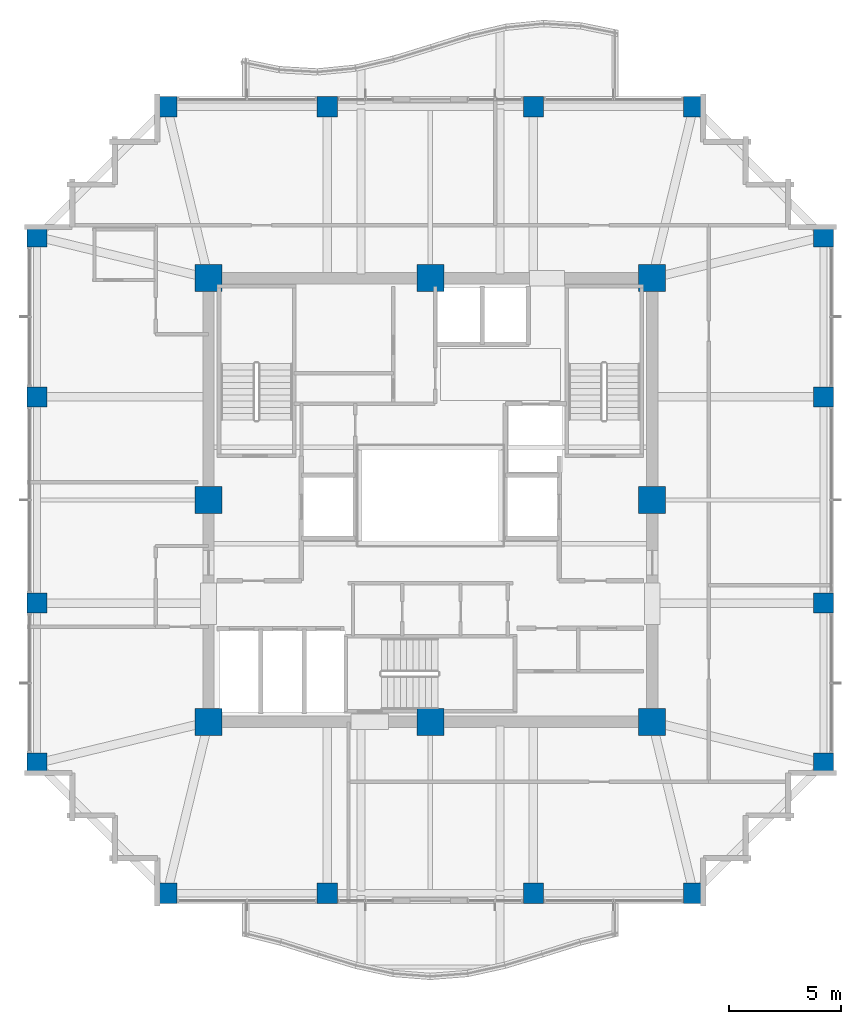
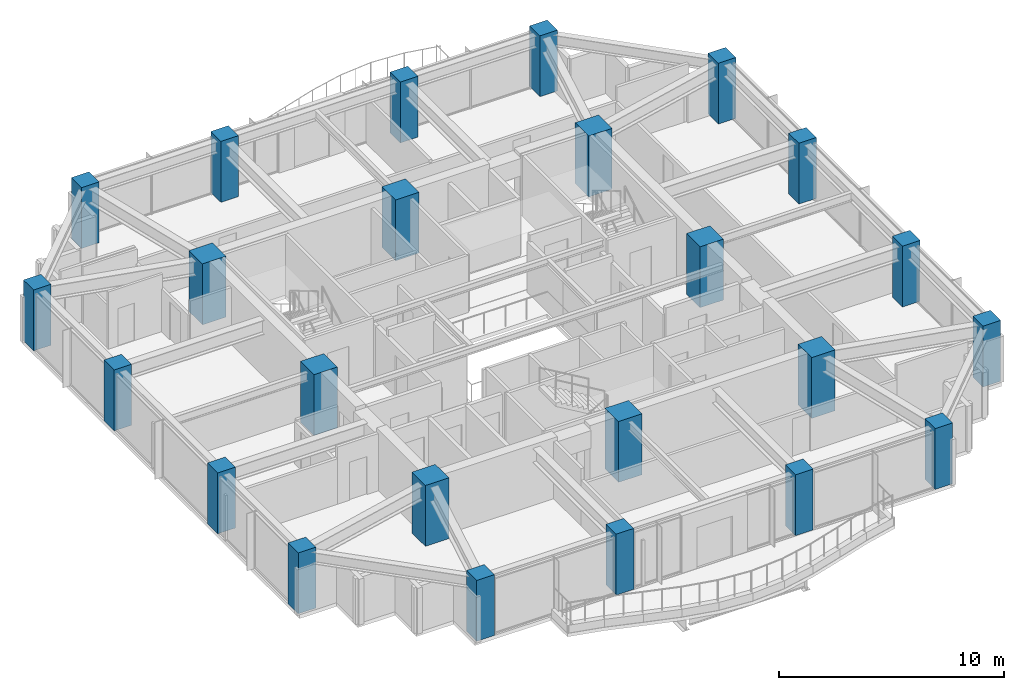
# One storey, part 1 of 31: 24 columns.
"""IFC4 building model written with IfcOpenShell, lengths in metres."""

from ifc_helpers import new_model, si_unit, direction, frame, origin, origin_2d, place, context, subcontext, project, spatial, rectangle, extrude, material, material_profile, profile_set, type_object, element, save


model = new_model("IFC4")

# Units and contexts
model_context = context("Model", 3, precision=1e-05, world=origin(), true_north=direction((0.0, 1.0)))
body_context = subcontext(model_context, "Body", "Model", "MODEL_VIEW")
ifc_project = project(units=[si_unit("LENGTHUNIT", "METRE"), si_unit("AREAUNIT", "SQUARE_METRE"), si_unit("VOLUMEUNIT", "CUBIC_METRE"), si_unit("PLANEANGLEUNIT", "RADIAN"), si_unit("MASSUNIT", "GRAM", prefix="KILO")], contexts=[model_context])

# Site, building, storey
site_placement = place(None, origin())
site = spatial("IfcSite", under=ifc_project, at=site_placement, CompositionType="ELEMENT")
building_placement = place(site_placement, origin())
building = spatial("IfcBuilding", under=site, at=building_placement, Name="Kolvaren Belvedere", CompositionType="ELEMENT")
storey_placement = place(building_placement, frame((0.0, 0.0, 138.199951171875)))
storey = spatial("IfcBuildingStorey", under=building, at=storey_placement, Name="L40", CompositionType="ELEMENT", Elevation=138.199951171875)

# Columns
ifc_material_1 = material(Name="Concrete C60/75", Category="concrete")
ifc_material_profile_1 = material_profile(ifc_material_1, rectangle(XDim=1.199951171875, YDim=1.199951171875, at=origin_2d()), Name="RC 1200X1200")
ifc_profile_set_1 = profile_set([ifc_material_profile_1], Name="Concrete C60/75")
column_type_1 = type_object("IfcColumnType", Name="COL-RC-1200", PredefinedType="COLUMN", material=ifc_profile_set_1)
for number, where, z_axis, x_axis, name in (
    (1, (-9.89990234375, -9.89990234375, 0.0), (0.0, 0.0, 1.0), (1.0, 0.0, 0.0), "L40 Core Column CC1"),
    (2, (9.89990234375, -9.89990234375, 0.0), (0.0, 0.0, 1.0), (1.0, 0.0, 0.0), "L40 Core Column CC2"),
    (3, (9.89990234375, 9.89990234375, 0.0), (0.0, 0.0, 1.0), (1.0, 0.0, 0.0), "L40 Core Column CC3"),
    (4, (-9.89990234375, 9.89990234375, 0.0), (0.0, 0.0, 1.0), (1.0, 0.0, 0.0), "L40 Core Column CC4"),
    (5, (0.0, -9.89990234375, 0.0), (0.0, 0.0, 1.0), (1.0, 0.0, 0.0), "L40 Core Column CM1"),
    (6, (9.89990234375, 0.0, 0.0), (0.0, 0.0, 1.0), (1.0, 0.0, 0.0), "L40 Core Column CM2"),
    (7, (0.0, 9.89990234375, 0.0), (0.0, 0.0, 1.0), (1.0, 0.0, 0.0), "L40 Core Column CM3"),
    (8, (-9.89990234375, 0.0, 0.0), (0.0, 0.0, 1.0), (1.0, 0.0, 0.0), "L40 Core Column CM4"),
):
    element("IfcColumn", number, at=place(storey_placement, frame(where, z_axis=z_axis, x_axis=x_axis)), inside=storey, type_object=column_type_1, Name=name, PredefinedType="COLUMN", context=body_context, shape_type="SweptSolid", body=[
        extrude(rectangle(XDim=1.199951171875, YDim=1.199951171875, at=origin_2d()), origin(), (0.0, 0.0, 1.0), 3.300048828125),
    ])
ifc_material_2 = material(Name="Concrete C50/60", Category="concrete")
ifc_material_profile_2 = material_profile(ifc_material_2, rectangle(XDim=0.89990234375, YDim=0.89990234375, at=origin_2d()), Name="RC 900X900")
ifc_profile_set_2 = profile_set([ifc_material_profile_2], Name="Concrete C50/60")
column_type_2 = type_object("IfcColumnType", Name="COL-RC-900", PredefinedType="COLUMN", material=ifc_profile_set_2)
for number, where, z_axis, x_axis, name in (
    (9, (-11.75, -17.550048828125, 0.0), (0.0, 0.0, 1.0), (1.0, 0.0, 0.0), "L40 Perimeter Column S1"),
    (10, (-4.60009765625, -17.550048828125, 0.0), (0.0, 0.0, 1.0), (1.0, 0.0, 0.0), "L40 Perimeter Column S2"),
    (11, (4.60009765625, -17.550048828125, 0.0), (0.0, 0.0, 1.0), (1.0, 0.0, 0.0), "L40 Perimeter Column S3"),
    (12, (11.75, -17.550048828125, 0.0), (0.0, 0.0, 1.0), (1.0, 0.0, 0.0), "L40 Perimeter Column S4"),
    (13, (-11.75, 17.550048828125, 0.0), (0.0, 0.0, 1.0), (1.0, 0.0, 0.0), "L40 Perimeter Column N1"),
    (14, (-4.60009765625, 17.550048828125, 0.0), (0.0, 0.0, 1.0), (1.0, 0.0, 0.0), "L40 Perimeter Column N2"),
    (15, (4.60009765625, 17.550048828125, 0.0), (0.0, 0.0, 1.0), (1.0, 0.0, 0.0), "L40 Perimeter Column N3"),
    (16, (11.75, 17.550048828125, 0.0), (0.0, 0.0, 1.0), (1.0, 0.0, 0.0), "L40 Perimeter Column N4"),
    (17, (-17.550048828125, -11.75, 0.0), (0.0, 0.0, 1.0), (1.0, 0.0, 0.0), "L40 Perimeter Column W1"),
    (18, (-17.550048828125, -4.60009765625, 0.0), (0.0, 0.0, 1.0), (1.0, 0.0, 0.0), "L40 Perimeter Column W2"),
    (19, (-17.550048828125, 4.60009765625, 0.0), (0.0, 0.0, 1.0), (1.0, 0.0, 0.0), "L40 Perimeter Column W3"),
    (20, (-17.550048828125, 11.75, 0.0), (0.0, 0.0, 1.0), (1.0, 0.0, 0.0), "L40 Perimeter Column W4"),
    (21, (17.550048828125, -11.75, 0.0), (0.0, 0.0, 1.0), (1.0, 0.0, 0.0), "L40 Perimeter Column E1"),
    (22, (17.550048828125, -4.60009765625, 0.0), (0.0, 0.0, 1.0), (1.0, 0.0, 0.0), "L40 Perimeter Column E2"),
    (23, (17.550048828125, 4.60009765625, 0.0), (0.0, 0.0, 1.0), (1.0, 0.0, 0.0), "L40 Perimeter Column E3"),
    (24, (17.550048828125, 11.75, 0.0), (0.0, 0.0, 1.0), (1.0, 0.0, 0.0), "L40 Perimeter Column E4"),
):
    element("IfcColumn", number, at=place(storey_placement, frame(where, z_axis=z_axis, x_axis=x_axis)), inside=storey, type_object=column_type_2, Name=name, PredefinedType="COLUMN", context=body_context, shape_type="SweptSolid", body=[
        extrude(rectangle(XDim=0.89990234375, YDim=0.89990234375, at=origin_2d()), origin(), (0.0, 0.0, 1.0), 3.300048828125),
    ])

save(model, "model.ifc")
